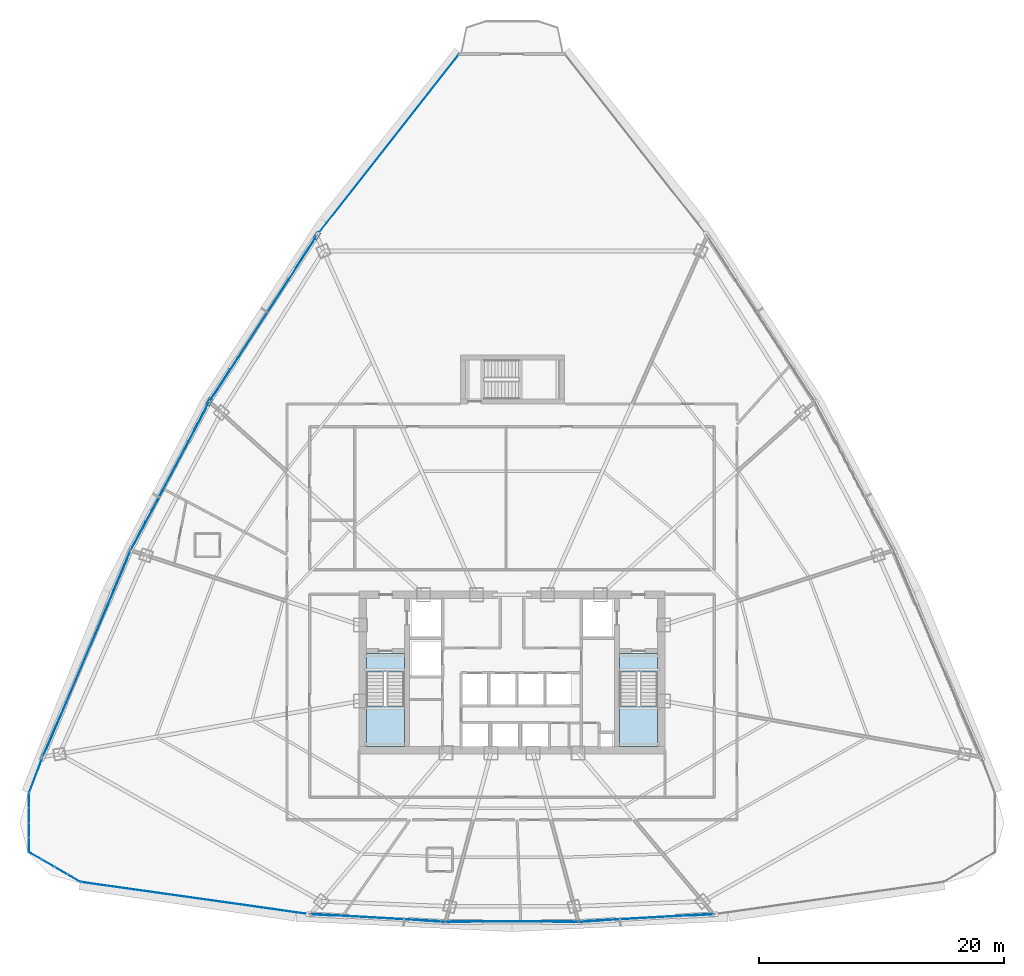
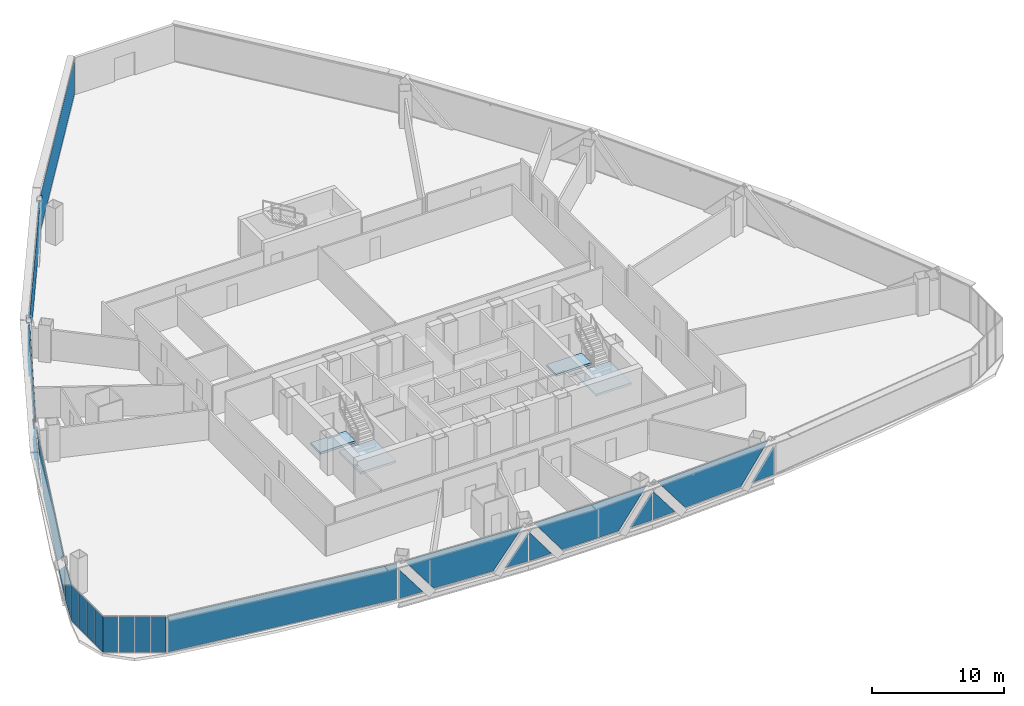
# One storey, part 30 of 41: 31 plates, 4 slabs, 13 elements without a shape of their own.
"""IFC4 building model written with IfcOpenShell, lengths in metres."""

from ifc_helpers import new_model, si_unit, direction, frame, origin, origin_2d, place, context, subcontext, project, spatial, polyline, rectangle, outline, extrude, source, transform, mapped, material, layer, layer_set, type_object, element, aggregate, save


model = new_model("IFC4")

# Units and contexts
model_context = context("Model", 3, precision=1e-05, world=origin(), true_north=direction((0.0, 1.0)))
body_context = subcontext(model_context, "Body", "Model", "MODEL_VIEW")
ifc_project = project(units=[si_unit("LENGTHUNIT", "METRE"), si_unit("AREAUNIT", "SQUARE_METRE"), si_unit("VOLUMEUNIT", "CUBIC_METRE"), si_unit("PLANEANGLEUNIT", "RADIAN"), si_unit("MASSUNIT", "GRAM", prefix="KILO"), si_unit("THERMODYNAMICTEMPERATUREUNIT", "KELVIN"), si_unit("POWERUNIT", "WATT")], contexts=[model_context])

# Site, building, storey
site_placement = place(None, origin())
site = spatial("IfcSite", under=ifc_project, at=site_placement, CompositionType="ELEMENT")
building_placement = place(site_placement, origin())
building = spatial("IfcBuilding", under=site, at=building_placement, Name="Yunzhuo Pagoda Commons", CompositionType="ELEMENT")
storey_placement = place(building_placement, frame((0.0, 0.0, 155.590087890625)))
storey = spatial("IfcBuildingStorey", under=building, at=storey_placement, Name="L39", CompositionType="ELEMENT", Elevation=155.590087890625)

# Curtain wall, plates
ifc_material_1 = material(Name="Anodized aluminium 6063-T6", Category="aluminium")
ifc_layer_1 = layer(ifc_material_1, 0.14990234375)
ifc_layer_set_1 = layer_set([ifc_layer_1], Name="Anodized aluminium 6063-T6")
curtain_wall_type_1 = type_object("IfcCurtainWallType", Name="CW-MID Mid-Zone Ribbon Curtain Wall", PredefinedType="NOTDEFINED", material=ifc_layer_set_1)
curtain_wall_1_placement = place(storey_placement, origin())
curtain_wall_1 = element("IfcCurtainWall", 1, at=curtain_wall_1_placement, inside=storey, type_object=curtain_wall_type_1, Name="L39 curtain wall CW-L39-F1B2", PredefinedType="NOTDEFINED")
ifc_material_2 = material(Name="Tempered low-e double glazing", Category="glass")
ifc_layer_2 = layer(ifc_material_2, 0.028076171875)
ifc_layer_set_2 = layer_set([ifc_layer_2], Name="Tempered low-e double glazing")
plate_type_1 = type_object("IfcPlateType", Name="CW-MID-P Low-E Double Glazing 28", PredefinedType="CURTAIN_PANEL", material=ifc_layer_set_2)
plate_1_placement = place(storey_placement, frame((32.5830078125, 14.022705078125, 1.38134765625), z_axis=(-0.056459249567, -0.998404904404, 0.0), x_axis=(0.998404904404, -0.056459249567, 0.0)))
plate_1 = element("IfcPlate", 2, at=plate_1_placement, type_object=plate_type_1, Name="CW panel 1.1 lite 1", PredefinedType="CURTAIN_PANEL", context=body_context, shape_type="SweptSolid", body=[
    extrude(outline(polyline([(-0.996826171875, -1.326416015625), (0.996826171875, -1.326416015625), (-0.996826171875, 1.326416015625), (-0.996826171875, -1.326416015625)])), origin(), (0.0, 0.0, 1.0), 0.028076171875),
])
plate_2_placement = place(storey_placement, frame((37.05224609375, 13.800048828125, 1.7099609375), z_axis=(-0.056459249567, -0.998404904404, 0.0), x_axis=(0.998404904404, -0.056459249567, 0.0)))
plate_2 = element("IfcPlate", 3, at=plate_2_placement, type_object=plate_type_1, Name="CW panel 1.1 lite 2", PredefinedType="CURTAIN_PANEL", context=body_context, shape_type="SweptSolid", body=[
    extrude(outline(polyline([(-5.0146484375, 1.655029296875), (-2.527099609375, -1.655029296875), (2.527099609375, -1.655029296875), (5.0146484375, 1.655029296875), (-5.0146484375, 1.655029296875)])), origin(), (0.0, 0.0, 1.0), 0.028076171875),
])
plate_3_placement = place(storey_placement, frame((41.51806640625, 13.517578125, 1.38134765625), z_axis=(-0.056459249567, -0.998404904404, 0.0), x_axis=(0.998404904404, -0.056459249567, 0.0)))
plate_3 = element("IfcPlate", 4, at=plate_3_placement, type_object=plate_type_1, Name="CW panel 1.1 lite 3", PredefinedType="CURTAIN_PANEL", context=body_context, shape_type="SweptSolid", body=[
    extrude(outline(polyline([(-0.996826171875, -1.326416015625), (0.996826171875, -1.326416015625), (0.996826171875, 1.326416015625), (-0.996826171875, -1.326416015625)])), origin(), (0.0, 0.0, 1.0), 0.028076171875),
])
aggregate(curtain_wall_1, [plate_1, plate_2, plate_3])

curtain_wall_2_placement = place(storey_placement, origin())
curtain_wall_2 = element("IfcCurtainWall", 5, at=curtain_wall_2_placement, inside=storey, type_object=curtain_wall_type_1, Name="L39 curtain wall CW-L39-F1B3", PredefinedType="NOTDEFINED")
plate_4_placement = place(storey_placement, frame((43.607177734375, 13.4580078125, 1.376708984375), z_axis=(0.0, -1.0, 0.0), x_axis=(1.0, 0.0, 0.0)))
plate_4 = element("IfcPlate", 6, at=plate_4_placement, type_object=plate_type_1, Name="CW panel 1.1 lite 1", PredefinedType="CURTAIN_PANEL", context=body_context, shape_type="SweptSolid", body=[
    extrude(outline(polyline([(-0.974609375, -1.32177734375), (0.974609375, -1.32177734375), (-0.974609375, 1.32177734375), (-0.974609375, -1.32177734375)])), origin(), (0.0, 0.0, 1.0), 0.028076171875),
])
plate_5_placement = place(storey_placement, frame((48.0, 13.48779296875, 1.7099609375), z_axis=(0.0, -1.0, 0.0), x_axis=(1.0, 0.0, 0.0)))
plate_5 = element("IfcPlate", 7, at=plate_5_placement, type_object=plate_type_1, Name="CW panel 1.1 lite 2", PredefinedType="CURTAIN_PANEL", context=body_context, shape_type="SweptSolid", body=[
    extrude(outline(polyline([(-4.914794921875, 1.655029296875), (-2.473876953125, -1.655029296875), (2.473876953125, -1.655029296875), (4.914794921875, 1.655029296875), (-4.914794921875, 1.655029296875)])), origin(), (0.0, 0.0, 1.0), 0.028076171875),
])
plate_6_placement = place(storey_placement, frame((52.392822265625, 13.4580078125, 1.376708984375), z_axis=(0.0, -1.0, 0.0), x_axis=(1.0, 0.0, 0.0)))
plate_6 = element("IfcPlate", 8, at=plate_6_placement, type_object=plate_type_1, Name="CW panel 1.1 lite 3", PredefinedType="CURTAIN_PANEL", context=body_context, shape_type="SweptSolid", body=[
    extrude(outline(polyline([(-0.974609375, -1.32177734375), (0.974609375, -1.32177734375), (0.974609375, 1.32177734375), (-0.974609375, -1.32177734375)])), origin(), (0.0, 0.0, 1.0), 0.028076171875),
])
aggregate(curtain_wall_2, [plate_4, plate_5, plate_6])

curtain_wall_3_placement = place(storey_placement, origin())
curtain_wall_3 = element("IfcCurtainWall", 9, at=curtain_wall_3_placement, inside=storey, type_object=curtain_wall_type_1, Name="L39 curtain wall CW-L39-F1B4", PredefinedType="NOTDEFINED")
plate_7_placement = place(storey_placement, frame((54.48193359375, 13.517578125, 1.38134765625), z_axis=(0.056459249567, -0.998404904404, 0.0), x_axis=(0.998404904404, 0.056459249567, 0.0)))
plate_7 = element("IfcPlate", 10, at=plate_7_placement, type_object=plate_type_1, Name="CW panel 1.1 lite 1", PredefinedType="CURTAIN_PANEL", context=body_context, shape_type="SweptSolid", body=[
    extrude(outline(polyline([(-0.996826171875, -1.326416015625), (0.996826171875, -1.326416015625), (-0.996826171875, 1.326416015625), (-0.996826171875, -1.326416015625)])), origin(), (0.0, 0.0, 1.0), 0.028076171875),
])
plate_8_placement = place(storey_placement, frame((58.94775390625, 13.800048828125, 1.7099609375), z_axis=(0.056459249567, -0.998404904404, 0.0), x_axis=(0.998404904404, 0.056459249567, 0.0)))
plate_8 = element("IfcPlate", 11, at=plate_8_placement, type_object=plate_type_1, Name="CW panel 1.1 lite 2", PredefinedType="CURTAIN_PANEL", context=body_context, shape_type="SweptSolid", body=[
    extrude(outline(polyline([(-5.0146484375, 1.655029296875), (-2.527099609375, -1.655029296875), (2.527099609375, -1.655029296875), (5.0146484375, 1.655029296875), (-5.0146484375, 1.655029296875)])), origin(), (0.0, 0.0, 1.0), 0.028076171875),
])
plate_9_placement = place(storey_placement, frame((63.4169921875, 14.022705078125, 1.38134765625), z_axis=(0.056459249567, -0.998404904404, 0.0), x_axis=(0.998404904404, 0.056459249567, 0.0)))
plate_9 = element("IfcPlate", 12, at=plate_9_placement, type_object=plate_type_1, Name="CW panel 1.1 lite 3", PredefinedType="CURTAIN_PANEL", context=body_context, shape_type="SweptSolid", body=[
    extrude(outline(polyline([(-0.996826171875, -1.326416015625), (0.996826171875, -1.326416015625), (0.996826171875, 1.326416015625), (-0.996826171875, -1.326416015625)])), origin(), (0.0, 0.0, 1.0), 0.028076171875),
])
aggregate(curtain_wall_3, [plate_7, plate_8, plate_9])

curtain_wall_4_placement = place(storey_placement, origin())
curtain_wall_4 = element("IfcCurtainWall", 13, at=curtain_wall_4_placement, inside=storey, type_object=curtain_wall_type_1, Name="L39 curtain wall CW-L39-F3B2", PredefinedType="NOTDEFINED")
plate_10_placement = place(storey_placement, frame((31.17724609375, 68.21533203125, 1.453125), z_axis=(-0.839392571637, 0.543525630197, 0.0), x_axis=(-0.543525630197, -0.839392571637, 0.0)))
plate_10 = element("IfcPlate", 14, at=plate_10_placement, type_object=plate_type_1, Name="CW panel 1.1 lite 1", PredefinedType="CURTAIN_PANEL", context=body_context, shape_type="SweptSolid", body=[
    extrude(outline(polyline([(-1.535888671875, -1.398193359375), (1.535888671875, -1.398193359375), (-1.535888671875, 1.398193359375), (-1.535888671875, -1.398193359375)])), origin(), (0.0, 0.0, 1.0), 0.028076171875),
])
plate_11_placement = place(storey_placement, frame((27.675537109375, 62.75244140625, 1.7099609375), z_axis=(-0.839392571637, 0.543525630197, 0.0), x_axis=(-0.543525630197, -0.839392571637, 0.0)))
plate_11 = element("IfcPlate", 15, at=plate_11_placement, type_object=plate_type_1, Name="CW panel 1.1 lite 2", PredefinedType="CURTAIN_PANEL", context=body_context, shape_type="SweptSolid", body=[
    extrude(outline(polyline([(-7.459716796875, 1.655029296875), (-3.823974609375, -1.655029296875), (3.823974609375, -1.655029296875), (7.459716796875, 1.655029296875), (-7.459716796875, 1.655029296875)])), origin(), (0.0, 0.0, 1.0), 0.028076171875),
])
plate_12_placement = place(storey_placement, frame((24.12353515625, 57.322021484375, 1.453125), z_axis=(-0.839392571637, 0.543525630197, 0.0), x_axis=(-0.543525630197, -0.839392571637, 0.0)))
plate_12 = element("IfcPlate", 16, at=plate_12_placement, type_object=plate_type_1, Name="CW panel 1.1 lite 3", PredefinedType="CURTAIN_PANEL", context=body_context, shape_type="SweptSolid", body=[
    extrude(outline(polyline([(-1.535888671875, -1.398193359375), (1.535888671875, -1.398193359375), (1.535888671875, 1.398193359375), (-1.535888671875, -1.398193359375)])), origin(), (0.0, 0.0, 1.0), 0.028076171875),
])
aggregate(curtain_wall_4, [plate_10, plate_11, plate_12])

curtain_wall_5_placement = place(storey_placement, origin())
curtain_wall_5 = element("IfcCurtainWall", 17, at=curtain_wall_5_placement, inside=storey, type_object=curtain_wall_type_1, Name="L39 curtain wall CW-L39-F3B3", PredefinedType="NOTDEFINED")
plate_13_placement = place(storey_placement, frame((22.6298828125, 54.797119140625, 1.427001953125), z_axis=(-0.884068631112, 0.467357096324, 0.0), x_axis=(-0.467357096324, -0.884068631112, 0.0)))
plate_13 = element("IfcPlate", 18, at=plate_13_placement, type_object=plate_type_1, Name="CW panel 1.1 lite 1", PredefinedType="CURTAIN_PANEL", context=body_context, shape_type="SweptSolid", body=[
    extrude(outline(polyline([(-1.281982421875, -1.3720703125), (1.28173828125, -1.3720703125), (-1.281982421875, 1.3720703125), (-1.281982421875, -1.3720703125)])), origin(), (0.0, 0.0, 1.0), 0.028076171875),
])
plate_14_placement = place(storey_placement, frame((20.06982421875, 49.890380859375, 1.7099609375), z_axis=(-0.884068631112, 0.467357096324, 0.0), x_axis=(-0.467357096324, -0.884068631112, 0.0)))
plate_14 = element("IfcPlate", 19, at=plate_14_placement, type_object=plate_type_1, Name="CW panel 1.1 lite 2", PredefinedType="CURTAIN_PANEL", context=body_context, shape_type="SweptSolid", body=[
    extrude(outline(polyline([(-6.3046875, 1.655029296875), (-3.21240234375, -1.655029296875), (3.21240234375, -1.655029296875), (6.3046875, 1.655029296875), (-6.3046875, 1.655029296875)])), origin(), (0.0, 0.0, 1.0), 0.028076171875),
])
plate_15_placement = place(storey_placement, frame((17.456787109375, 45.01171875, 1.427001953125), z_axis=(-0.884068631112, 0.467357096324, 0.0), x_axis=(-0.467357096324, -0.884068631112, 0.0)))
plate_15 = element("IfcPlate", 20, at=plate_15_placement, type_object=plate_type_1, Name="CW panel 1.1 lite 3", PredefinedType="CURTAIN_PANEL", context=body_context, shape_type="SweptSolid", body=[
    extrude(outline(polyline([(-1.28173828125, -1.3720703125), (1.281982421875, -1.3720703125), (1.281982421875, 1.3720703125), (-1.28173828125, -1.3720703125)])), origin(), (0.0, 0.0, 1.0), 0.028076171875),
])
aggregate(curtain_wall_5, [plate_13, plate_14, plate_15])

curtain_wall_6_placement = place(storey_placement, origin())
curtain_wall_6 = element("IfcCurtainWall", 21, at=curtain_wall_6_placement, inside=storey, type_object=curtain_wall_type_1, Name="L39 curtain wall CW-L39-F3B4", PredefinedType="NOTDEFINED")
plate_16_placement = place(storey_placement, frame((16.11572265625, 42.146728515625, 1.469970703125), z_axis=(-0.92021678471, 0.391409081572, 0.0), x_axis=(-0.391409081572, -0.92021678471, 0.0)))
plate_16 = element("IfcPlate", 22, at=plate_16_placement, type_object=plate_type_1, Name="CW panel 1.1 lite 1", PredefinedType="CURTAIN_PANEL", context=body_context, shape_type="SweptSolid", body=[
    extrude(outline(polyline([(-1.76513671875, -1.4150390625), (1.764892578125, -1.4150390625), (-1.76513671875, 1.414794921875), (-1.76513671875, -1.4150390625)])), origin(), (0.0, 0.0, 1.0), 0.028076171875),
])
plate_17_placement = place(storey_placement, frame((13.26416015625, 35.36572265625, 1.7099609375), z_axis=(-0.92021678471, 0.391409081572, 0.0), x_axis=(-0.391409081572, -0.92021678471, 0.0)))
plate_17 = element("IfcPlate", 23, at=plate_17_placement, type_object=plate_type_1, Name="CW panel 1.1 lite 2", PredefinedType="CURTAIN_PANEL", context=body_context, shape_type="SweptSolid", body=[
    extrude(outline(polyline([(-8.505126953125, 1.655029296875), (-4.376220703125, -1.655029296875), (4.376220703125, -1.655029296875), (8.505126953125, 1.655029296875), (-8.505126953125, 1.655029296875)])), origin(), (0.0, 0.0, 1.0), 0.028076171875),
])
plate_18_placement = place(storey_placement, frame((10.357177734375, 28.608154296875, 1.469970703125), z_axis=(-0.92021678471, 0.391409081572, 0.0), x_axis=(-0.391409081572, -0.92021678471, 0.0)))
plate_18 = element("IfcPlate", 24, at=plate_18_placement, type_object=plate_type_1, Name="CW panel 1.1 lite 3", PredefinedType="CURTAIN_PANEL", context=body_context, shape_type="SweptSolid", body=[
    extrude(outline(polyline([(-1.764892578125, -1.4150390625), (1.76513671875, -1.4150390625), (1.76513671875, 1.414794921875), (-1.764892578125, -1.4150390625)])), origin(), (0.0, 0.0, 1.0), 0.028076171875),
])
aggregate(curtain_wall_6, [plate_16, plate_17, plate_18])

# Stair, slabs
ifc_material_3 = material(Name="Concrete C40", Category="concrete")
stair_type_1 = type_object("IfcStairType", Name="ST-C1 Core Smokeproof Stair ST1", PredefinedType="HALF_TURN_STAIR", material=ifc_material_3)
stair_1_placement = place(storey_placement, origin())
stair_1 = element("IfcStair", 25, at=stair_1_placement, inside=storey, type_object=stair_type_1, Name="L39 Core smokeproof stair ST1", PredefinedType="HALF_TURN_STAIR")
ifc_layer_3 = layer(ifc_material_3, 0.199951171875)
ifc_layer_set_3 = layer_set([ifc_layer_3], Name="Concrete C40")
slab_type_1 = type_object("IfcSlabType", Name="SL-LND1 Stair Landing Slab 200", PredefinedType="LANDING", material=ifc_layer_set_3)
slab_1_placement = place(storey_placement, frame((0.0, 0.0, 1.639892578125)))
slab_1 = element("IfcSlab", 26, at=slab_1_placement, type_object=slab_type_1, Name="ST1 landing 1", PredefinedType="LANDING", context=body_context, shape_type="SweptSolid", body=[
    extrude(outline(polyline([(36.10009765625, 31.10009765625), (36.10009765625, 27.800048828125), (39.199951171875, 27.800048828125), (39.199951171875, 31.10009765625), (36.10009765625, 31.10009765625)])), origin(), (0.0, 0.0, 1.0), 0.199951171875),
])
slab_2_placement = place(storey_placement, frame((0.0, 0.0, -0.2001953125)))
slab_2 = element("IfcSlab", 27, at=slab_2_placement, type_object=slab_type_1, Name="ST1 floor landing L39", PredefinedType="LANDING", context=body_context, shape_type="SweptSolid", body=[
    extrude(outline(polyline([(36.10009765625, 35.39990234375), (36.10009765625, 33.89990234375), (39.199951171875, 33.89990234375), (39.199951171875, 35.39990234375), (36.10009765625, 35.39990234375)])), origin(), (0.0, 0.0, 1.0), 0.2001953125),
])
aggregate(stair_1, [slab_1, slab_2])

stair_type_2 = type_object("IfcStairType", Name="ST-C2 Core Smokeproof Stair ST2", PredefinedType="HALF_TURN_STAIR", material=ifc_material_3)
stair_2_placement = place(storey_placement, origin())
stair_2 = element("IfcStair", 28, at=stair_2_placement, inside=storey, type_object=stair_type_2, Name="L39 Core smokeproof stair ST2", PredefinedType="HALF_TURN_STAIR")
ifc_layer_4 = layer(ifc_material_3, 0.201904296875)
ifc_layer_set_4 = layer_set([ifc_layer_4], Name="Concrete C40")
slab_type_2 = type_object("IfcSlabType", Name="SL-LND2 Stair Landing Slab 202", PredefinedType="LANDING", material=ifc_layer_set_4)
slab_3_placement = place(storey_placement, frame((0.0, 0.0, 1.639892578125)))
slab_3 = element("IfcSlab", 29, at=slab_3_placement, type_object=slab_type_2, Name="ST2 landing 1", PredefinedType="LANDING", context=body_context, shape_type="SweptSolid", body=[
    extrude(outline(polyline([(56.800048828125, 31.10009765625), (56.800048828125, 27.800048828125), (59.89990234375, 27.800048828125), (59.89990234375, 31.10009765625), (56.800048828125, 31.10009765625)])), origin(), (0.0, 0.0, 1.0), 0.199951171875),
])
slab_4_placement = place(storey_placement, frame((0.0, 0.0, -0.2001953125)))
slab_4 = element("IfcSlab", 30, at=slab_4_placement, type_object=slab_type_2, Name="ST2 floor landing L39", PredefinedType="LANDING", context=body_context, shape_type="SweptSolid", body=[
    extrude(outline(polyline([(56.800048828125, 35.39990234375), (56.800048828125, 33.89990234375), (59.89990234375, 33.89990234375), (59.89990234375, 35.39990234375), (56.800048828125, 35.39990234375)])), origin(), (0.0, 0.0, 1.0), 0.2001953125),
])
aggregate(stair_2, [slab_3, slab_4])

# Plates
ifc_material_4 = material(Name="Structural steel Q355B", Category="steel")
ifc_layer_5 = layer(ifc_material_4, 0.028076171875)
ifc_layer_set_5 = layer_set([ifc_layer_5], Name="Structural steel Q355B")
plate_type_2 = type_object("IfcPlateType", Name="SP-ND1 Lattice Node Cap Plate 800x500x28", PredefinedType="USERDEFINED", material=ifc_layer_set_5)
shared_shape_1 = source(origin(), body_context, "Body", "SweptSolid", [
    extrude(rectangle(XDim=0.699951171875, YDim=0.35009765625, at=origin_2d()), origin(), (0.0, 0.0, 1.0), 0.035888671875),
])
for number, where, z_axis, x_axis, name in (
    (31, (32.032958984375, 69.5625, 3.3818359375), (0.0, 0.0, 1.0), (-0.543526101434, -0.8393922665, 0.0), "L39 setback lattice tie plate F3.1L"),
    (32, (23.244384765625, 55.989990234375, 3.3818359375), (0.0, 0.0, 1.0), (-0.46735900579, -0.884067621682, 0.0), "L39 setback lattice tie plate F3.2L"),
):
    element("IfcPlate", number, at=place(storey_placement, frame(where, z_axis=z_axis, x_axis=x_axis)), inside=storey, type_object=plate_type_2, Name=name, ObjectType="STIFFENER_PLATE", PredefinedType="USERDEFINED", context=body_context, shape_type="MappedRepresentation", body=[
        mapped(shared_shape_1, transform((0.0, 0.0, 0.0), scale=1.0)),
    ])

# Curtain wall, plate
curtain_wall_7_placement = place(storey_placement, origin())
curtain_wall_7 = element("IfcCurtainWall", 33, at=curtain_wall_7_placement, inside=storey, type_object=curtain_wall_type_1, Name="L39 curtain wall CW-L39-F1B1", PredefinedType="NOTDEFINED")
shared_shape_2 = source(origin(), body_context, "Body", "SweptSolid", [
    extrude(rectangle(XDim=18.81640625, YDim=0.028076171875, at=origin_2d()), origin(), (0.0, 0.0, 1.0), 3.31005859375),
])
plate_19_placement = place(storey_placement, frame((22.077392578125, 15.401123046875, 0.054931640625), z_axis=(0.0, 0.0, 1.0), x_axis=(0.990203780714, -0.13962976996, 0.0)))
plate_19 = element("IfcPlate", 34, at=plate_19_placement, type_object=plate_type_1, Name="CW panel 1.1", PredefinedType="CURTAIN_PANEL", context=body_context, shape_type="MappedRepresentation", body=[
    mapped(shared_shape_2, transform((0.0, 0.0, 0.0), scale=1.0)),
])
aggregate(curtain_wall_7, [plate_19])

curtain_wall_8_placement = place(storey_placement, origin())
curtain_wall_8 = element("IfcCurtainWall", 35, at=curtain_wall_8_placement, inside=storey, type_object=curtain_wall_type_1, Name="L39 curtain wall CW-L39-F3B5", PredefinedType="NOTDEFINED")
shared_shape_3 = source(origin(), body_context, "Body", "SweptSolid", [
    extrude(rectangle(XDim=2.937255859375, YDim=0.028076171875, at=origin_2d()), origin(), (0.0, 0.0, 1.0), 3.31005859375),
])
plate_20_placement = place(storey_placement, frame((9.062255859375, 25.4345703125, 0.054931640625), z_axis=(0.0, 0.0, 1.0), x_axis=(-0.35399648846, -0.935246751482, 0.0)))
plate_20 = element("IfcPlate", 36, at=plate_20_placement, type_object=plate_type_1, Name="CW panel 1.1", PredefinedType="CURTAIN_PANEL", context=body_context, shape_type="MappedRepresentation", body=[
    mapped(shared_shape_3, transform((0.0, 0.0, 0.0), scale=1.0)),
])
aggregate(curtain_wall_8, [plate_20])

curtain_wall_9_placement = place(storey_placement, origin())
curtain_wall_9 = element("IfcCurtainWall", 37, at=curtain_wall_9_placement, inside=storey, type_object=curtain_wall_type_1, Name="L39 curtain wall CW-L39-F3B1", PredefinedType="NOTDEFINED")
shared_shape_4 = source(origin(), body_context, "Body", "SweptSolid", [
    extrude(rectangle(XDim=18.6806640625, YDim=0.028076171875, at=origin_2d()), origin(), (0.0, 0.0, 1.0), 3.31005859375),
])
plate_21_placement = place(storey_placement, frame((37.8818359375, 77.017333984375, 0.054931640625), z_axis=(0.0, 0.0, 1.0), x_axis=(-0.61725996734, -0.786759259697, 0.0)))
plate_21 = element("IfcPlate", 38, at=plate_21_placement, type_object=plate_type_1, Name="CW panel 1.1", PredefinedType="CURTAIN_PANEL", context=body_context, shape_type="MappedRepresentation", body=[
    mapped(shared_shape_4, transform((0.0, 0.0, 0.0), scale=1.0)),
])
aggregate(curtain_wall_9, [plate_21])

# Curtain wall, plates
ifc_layer_6 = layer(ifc_material_1, 0.1298828125)
ifc_layer_set_6 = layer_set([ifc_layer_6], Name="Anodized aluminium 6063-T6")
curtain_wall_type_2 = type_object("IfcCurtainWallType", Name="CW-VTX Rounded Corner Curtain Wall", PredefinedType="NOTDEFINED", material=ifc_layer_set_6)
curtain_wall_10_placement = place(storey_placement, origin())
curtain_wall_10 = element("IfcCurtainWall", 39, at=curtain_wall_10_placement, inside=storey, type_object=curtain_wall_type_2, Name="L39 curtain wall CW-L39-VTX1S1", PredefinedType="NOTDEFINED")
ifc_layer_7 = layer(ifc_material_2, 0.02587890625)
ifc_layer_set_7 = layer_set([ifc_layer_7], Name="Tempered low-e double glazing")
plate_type_3 = type_object("IfcPlateType", Name="CW-VTX-P Low-E Double Glazing 26", PredefinedType="CURTAIN_PANEL", material=ifc_layer_set_7)
shared_shape_5 = source(origin(), body_context, "Body", "SweptSolid", [
    extrude(rectangle(XDim=1.141845703125, YDim=0.028076171875, at=origin_2d()), origin(), (0.0, 0.0, 1.0), 3.31005859375),
])
plate_22_placement = place(storey_placement, frame((8.518798828125, 23.37890625, 0.054931640625), z_axis=(0.0, 0.0, 1.0), x_axis=(-0.00359372042, -0.999993542566, 0.0)))
plate_22 = element("IfcPlate", 40, at=plate_22_placement, type_object=plate_type_3, Name="CW panel 1.1", PredefinedType="CURTAIN_PANEL", context=body_context, shape_type="MappedRepresentation", body=[
    mapped(shared_shape_5, transform((0.0, 0.0, 0.0), scale=1.0)),
])
plate_23_placement = place(storey_placement, frame((8.505615234375, 19.7333984375, 0.054931640625), z_axis=(0.0, 0.0, 1.0), x_axis=(-0.00359372042, -0.999993542566, 0.0)))
plate_23 = element("IfcPlate", 41, at=plate_23_placement, type_object=plate_type_3, Name="CW panel 4.1", PredefinedType="CURTAIN_PANEL", context=body_context, shape_type="MappedRepresentation", body=[
    mapped(shared_shape_5, transform((0.0, 0.0, 0.0), scale=1.0)),
])

curtain_wall_11_placement = place(storey_placement, origin())
curtain_wall_11 = element("IfcCurtainWall", 42, at=curtain_wall_11_placement, inside=storey, type_object=curtain_wall_type_2, Name="L39 curtain wall CW-L39-VTX1S2", PredefinedType="NOTDEFINED")
plate_24_placement = place(storey_placement, frame((9.005126953125, 18.86328125, 0.054931640625), z_axis=(0.0, 0.0, 1.0), x_axis=(0.865427217457, -0.501034660762, 0.0)))
plate_24 = element("IfcPlate", 43, at=plate_24_placement, type_object=plate_type_3, Name="CW panel 1.1", PredefinedType="CURTAIN_PANEL", context=body_context, shape_type="MappedRepresentation", body=[
    mapped(shared_shape_5, transform((0.0, 0.0, 0.0), scale=1.0)),
])
plate_25_placement = place(storey_placement, frame((12.16015625, 17.03662109375, 0.054931640625), z_axis=(0.0, 0.0, 1.0), x_axis=(0.865427217457, -0.501034660762, 0.0)))
plate_25 = element("IfcPlate", 44, at=plate_25_placement, type_object=plate_type_3, Name="CW panel 4.1", PredefinedType="CURTAIN_PANEL", context=body_context, shape_type="MappedRepresentation", body=[
    mapped(shared_shape_5, transform((0.0, 0.0, 0.0), scale=1.0)),
])

# Plate
shared_shape_6 = source(origin(), body_context, "Body", "SweptSolid", [
    extrude(rectangle(XDim=1.16943359375, YDim=0.028076171875, at=origin_2d()), origin(), (0.0, 0.0, 1.0), 3.31005859375),
])
plate_26_placement = place(storey_placement, frame((8.514404296875, 22.168212890625, 0.054931640625), z_axis=(0.0, 0.0, 1.0), x_axis=(-0.00359372042, -0.999993542566, 0.0)))
plate_26 = element("IfcPlate", 45, at=plate_26_placement, type_object=plate_type_3, Name="CW panel 2.1", PredefinedType="CURTAIN_PANEL", context=body_context, shape_type="MappedRepresentation", body=[
    mapped(shared_shape_6, transform((0.0, 0.0, 0.0), scale=1.0)),
])

plate_27_placement = place(storey_placement, frame((8.510009765625, 20.94384765625, 0.054931640625), z_axis=(0.0, 0.0, 1.0), x_axis=(-0.00359372042, -0.999993542566, 0.0)))
plate_27 = element("IfcPlate", 46, at=plate_27_placement, type_object=plate_type_3, Name="CW panel 3.1", PredefinedType="CURTAIN_PANEL", context=body_context, shape_type="MappedRepresentation", body=[
    mapped(shared_shape_6, transform((0.0, 0.0, 0.0), scale=1.0)),
])

aggregate(curtain_wall_10, [plate_22, plate_26, plate_27, plate_23])

plate_28_placement = place(storey_placement, frame((10.052978515625, 18.2568359375, 0.054931640625), z_axis=(0.0, 0.0, 1.0), x_axis=(0.865427217457, -0.501034660762, 0.0)))
plate_28 = element("IfcPlate", 47, at=plate_28_placement, type_object=plate_type_3, Name="CW panel 2.1", PredefinedType="CURTAIN_PANEL", context=body_context, shape_type="MappedRepresentation", body=[
    mapped(shared_shape_6, transform((0.0, 0.0, 0.0), scale=1.0)),
])

plate_29_placement = place(storey_placement, frame((11.112548828125, 17.643310546875, 0.054931640625), z_axis=(0.0, 0.0, 1.0), x_axis=(0.865427217457, -0.501034660762, 0.0)))
plate_29 = element("IfcPlate", 48, at=plate_29_placement, type_object=plate_type_3, Name="CW panel 3.1", PredefinedType="CURTAIN_PANEL", context=body_context, shape_type="MappedRepresentation", body=[
    mapped(shared_shape_6, transform((0.0, 0.0, 0.0), scale=1.0)),
])

aggregate(curtain_wall_11, [plate_24, plate_28, plate_29, plate_25])

save(model, "model.ifc")
